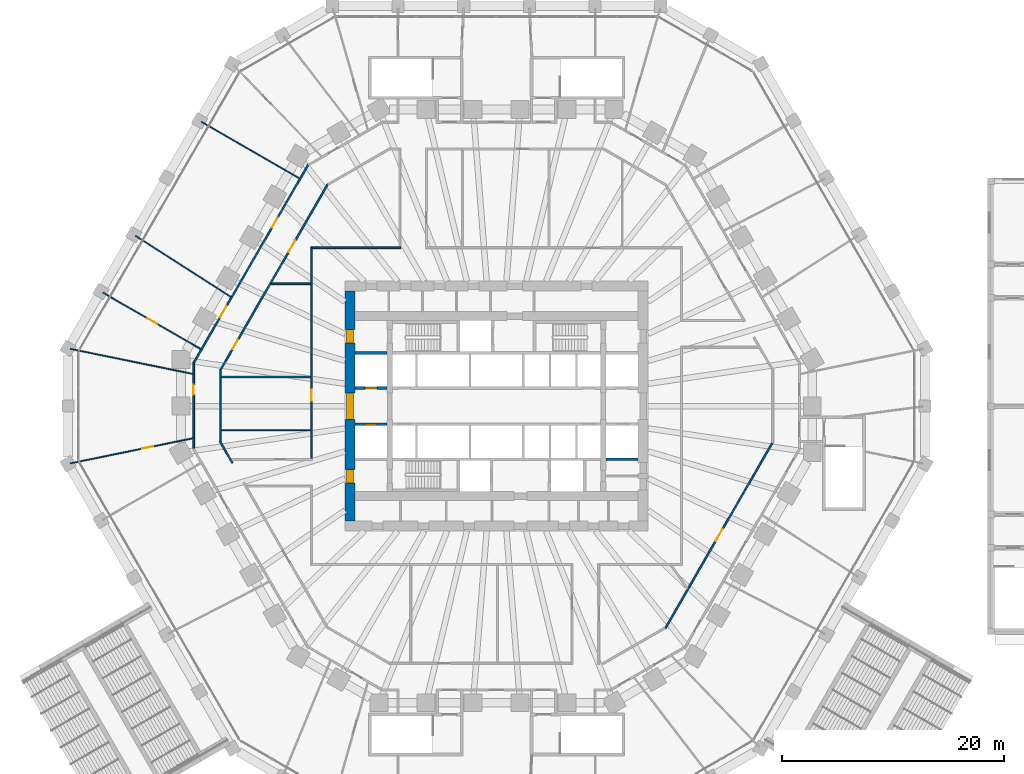
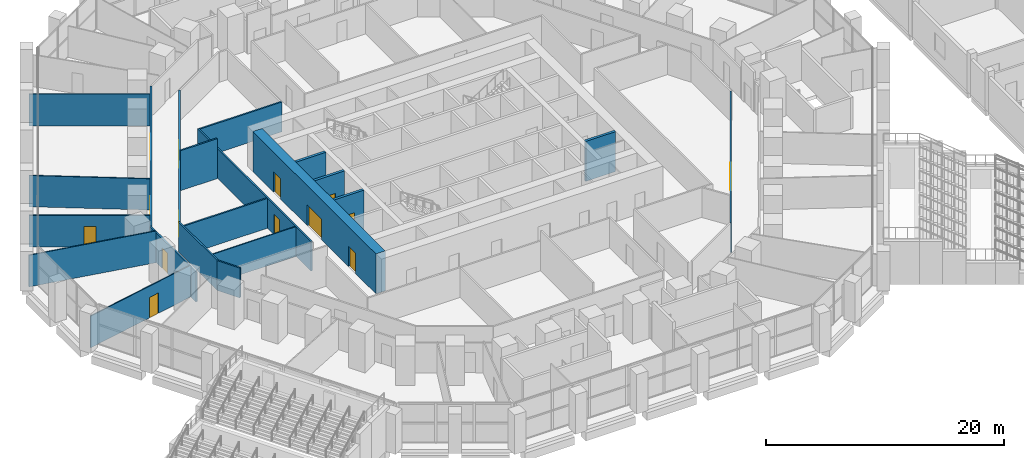
# One storey, part 21 of 38: 21 walls, 14 doors, 14 openings.
"""IFC4 building model written with IfcOpenShell, lengths in metres."""

from ifc_helpers import new_model, si_unit, direction, frame, frame_2d, origin, place, context, subcontext, project, spatial, rectangle, extrude, material, layer, layer_set, type_object, element, fill, save


model = new_model("IFC4")

# Units and contexts
model_context = context("Model", 3, precision=1e-05, world=origin(), true_north=direction((0.0, 1.0)))
body_context = subcontext(model_context, "Body", "Model", "MODEL_VIEW")
ifc_project = project(units=[si_unit("LENGTHUNIT", "METRE"), si_unit("AREAUNIT", "SQUARE_METRE"), si_unit("VOLUMEUNIT", "CUBIC_METRE"), si_unit("PLANEANGLEUNIT", "RADIAN"), si_unit("MASSUNIT", "GRAM", prefix="KILO")], contexts=[model_context])

# Site, building, storey
site_placement = place(None, origin())
site = spatial("IfcSite", under=ifc_project, at=site_placement, CompositionType="ELEMENT")
building_placement = place(site_placement, origin())
building = spatial("IfcBuilding", under=site, at=building_placement, Name="Frailejon Research Tower", CompositionType="ELEMENT")
storey_placement = place(building_placement, frame((0.0, 0.0, 10.199951171875)))
storey = spatial("IfcBuildingStorey", under=building, at=storey_placement, Name="L02", CompositionType="ELEMENT", Elevation=10.199951171875)

# Wall, openings, doors
ifc_material_1 = material(Name="Concrete C70/85", Category="concrete")
ifc_layer_1 = layer(ifc_material_1, 0.89990234375)
ifc_layer_set_1 = layer_set([ifc_layer_1], Name="Core shear wall 900 C70/85")
wall_type_1 = type_object("IfcWallType", Name="Core shear wall 900 C70/85", PredefinedType="SHEAR", material=ifc_layer_set_1)
wall_1_placement = place(storey_placement, frame((-13.199951171875, -10.35009765625, 0.0), z_axis=(0.0, 0.0, 1.0), x_axis=(0.0, 1.0, 0.0)))
wall_1 = element("IfcWall", 1, at=wall_1_placement, inside=storey, type_object=wall_type_1, Name="Core shear wall", PredefinedType="SHEAR", context=body_context, shape_type="SweptSolid", body=[
    extrude(rectangle(XDim=20.7001953125, YDim=0.89990234375, at=frame_2d((10.35009765625, 0.0))), origin(), (0.0, 0.0, 1.0), 4.10009765625),
])
opening_1_placement = place(wall_1_placement, frame((9.14990234375, 0.0, 0.0)))
opening_1 = element("IfcOpeningElement", 2, at=opening_1_placement, cuts=wall_1, Name="Opening D2", PredefinedType="OPENING", context=body_context, shape_type="SweptSolid", body=[
    extrude(rectangle(XDim=2.39990234375, YDim=2.10009765625, at=frame_2d((1.199951171875, 1.050048828125))), frame((0.0, 0.4599609375, 0.0), z_axis=(0.0, -1.0, 0.0), x_axis=(1.0, 0.0, 0.0)), (0.0, 0.0, 1.0), 0.919921875),
])
opening_2_placement = place(wall_1_placement, frame((16.050048828125, 0.0, 0.0)))
opening_2 = element("IfcOpeningElement", 3, at=opening_2_placement, cuts=wall_1, Name="Opening D7", PredefinedType="OPENING", context=body_context, shape_type="SweptSolid", body=[
    extrude(rectangle(XDim=1.199951171875, YDim=2.10009765625, at=frame_2d((0.60009765625, 1.050048828125))), frame((0.0, 0.4599609375, 0.0), z_axis=(0.0, -1.0, 0.0), x_axis=(1.0, 0.0, 0.0)), (0.0, 0.0, 1.0), 0.919921875),
])
opening_3_placement = place(wall_1_placement, frame((3.449951171875, 0.0, 0.0)))
opening_3 = element("IfcOpeningElement", 4, at=opening_3_placement, cuts=wall_1, Name="Opening D7", PredefinedType="OPENING", context=body_context, shape_type="SweptSolid", body=[
    extrude(rectangle(XDim=1.199951171875, YDim=2.10009765625, at=frame_2d((0.60009765625, 1.050048828125))), frame((0.0, 0.4599609375, 0.0), z_axis=(0.0, -1.0, 0.0), x_axis=(1.0, 0.0, 0.0)), (0.0, 0.0, 1.0), 0.919921875),
])
ifc_material_2 = material(Name="Steel", Category="steel")
door_type_1 = type_object("IfcDoorType", Name="Lobby double door", OperationType="DOUBLE_DOOR_SINGLE_SWING", PredefinedType="DOOR", material=ifc_material_2)
door_1_placement = place(opening_1_placement, origin())
door_1 = element("IfcDoor", 5, at=door_1_placement, inside=storey, type_object=door_type_1, Name="Lobby door", OperationType="DOUBLE_DOOR_SINGLE_SWING", OverallHeight=2.10009765625, OverallWidth=2.39990234375, PredefinedType="DOOR", context=body_context, shape_type="SweptSolid", body=[
    extrude(rectangle(XDim=2.39990234375, YDim=2.10009765625, at=frame_2d((1.199951171875, 1.050048828125))), frame((0.0, 0.300048828125, 0.0), z_axis=(0.0, -1.0, 0.0), x_axis=(1.0, 0.0, 0.0)), (0.0, 0.0, 1.0), 0.60009765625),
])
fill(opening_1, door_1)
ifc_material_3 = material(Name="Steel", Category="steel")
door_type_2 = type_object("IfcDoorType", Name="Stair exit door", OperationType="SINGLE_SWING_LEFT", PredefinedType="DOOR", material=ifc_material_3)
door_2_placement = place(opening_2_placement, origin())
door_2 = element("IfcDoor", 6, at=door_2_placement, inside=storey, type_object=door_type_2, Name="Stair exit door ST1", OperationType="SINGLE_SWING_RIGHT", OverallHeight=2.10009765625, OverallWidth=1.199951171875, PredefinedType="DOOR", context=body_context, shape_type="SweptSolid", body=[
    extrude(rectangle(XDim=1.199951171875, YDim=2.10009765625, at=frame_2d((0.60009765625, 1.050048828125))), frame((0.0, 0.300048828125, 0.0), z_axis=(0.0, -1.0, 0.0), x_axis=(1.0, 0.0, 0.0)), (0.0, 0.0, 1.0), 0.60009765625),
])
fill(opening_2, door_2)
door_3_placement = place(opening_3_placement, origin())
door_3 = element("IfcDoor", 7, at=door_3_placement, inside=storey, type_object=door_type_2, Name="Stair exit door ST2", OperationType="SINGLE_SWING_RIGHT", OverallHeight=2.10009765625, OverallWidth=1.199951171875, PredefinedType="DOOR", context=body_context, shape_type="SweptSolid", body=[
    extrude(rectangle(XDim=1.199951171875, YDim=2.10009765625, at=frame_2d((0.60009765625, 1.050048828125))), frame((0.0, 0.300048828125, 0.0), z_axis=(0.0, -1.0, 0.0), x_axis=(1.0, 0.0, 0.0)), (0.0, 0.0, 1.0), 0.60009765625),
])
fill(opening_3, door_3)

ifc_material_4 = material(Name="Gypsum board and masonry partition", Category="masonry")
ifc_layer_2 = layer(ifc_material_4, 0.14990234375)
ifc_layer_set_2 = layer_set([ifc_layer_2], Name="Corridor wall EI 60, gypsum on steel studs 150")
wall_type_2 = type_object("IfcWallType", Name="Corridor wall EI 60, gypsum on steel studs 150", PredefinedType="PARTITIONING", material=ifc_layer_set_2)
wall_2_placement = place(storey_placement, frame((-24.8251953125, 3.30126953125, 0.0), z_axis=(0.0, 0.0, 1.0), x_axis=(0.499992422807, 0.866029778435, 0.0)))
wall_2 = element("IfcWall", 8, at=wall_2_placement, inside=storey, type_object=wall_type_2, Name="T:IW:L02:021", PredefinedType="PARTITIONING", context=body_context, shape_type="SweptSolid", body=[
    extrude(rectangle(XDim=19.257080078125, YDim=0.14990234375, at=frame_2d((9.62841796875, 0.0))), origin(), (0.0, 0.0, 1.0), 3.050048828125),
])
opening_4_placement = place(wall_2_placement, frame((12.191650390625, 0.0, 0.0)))
opening_4 = element("IfcOpeningElement", 9, at=opening_4_placement, cuts=wall_2, Name="Opening D1072", PredefinedType="OPENING", context=body_context, shape_type="SweptSolid", body=[
    extrude(rectangle(XDim=1.199951171875, YDim=2.10009765625, at=frame_2d((0.60009765625, 1.050048828125))), frame((0.0, 0.0849609375, 0.0), z_axis=(0.0, -1.0, 0.0), x_axis=(1.0, 0.0, 0.0)), (0.0, 0.0, 1.0), 0.169921875),
])
opening_5_placement = place(wall_2_placement, frame((2.0966796875, 0.0, 0.0)))
opening_5 = element("IfcOpeningElement", 10, at=opening_5_placement, cuts=wall_2, Name="Opening D1076", PredefinedType="OPENING", context=body_context, shape_type="SweptSolid", body=[
    extrude(rectangle(XDim=1.0, YDim=2.10009765625, at=frame_2d((0.5, 1.050048828125))), frame((0.0, 0.0849609375, 0.0), z_axis=(0.0, -1.0, 0.0), x_axis=(1.0, 0.0, 0.0)), (0.0, 0.0, 1.0), 0.169921875),
])
ifc_material_5 = material(Name="Timber door leaf", Category="wood")
door_type_3 = type_object("IfcDoorType", Name="Door laboratory, timber, vision panel 1000", OperationType="NOTDEFINED", PredefinedType="DOOR", material=ifc_material_5)
door_4_placement = place(opening_5_placement, origin())
door_4 = element("IfcDoor", 11, at=door_4_placement, inside=storey, type_object=door_type_3, Name="D1076", OperationType="SINGLE_SWING_RIGHT", OverallHeight=2.10009765625, OverallWidth=1.0, PredefinedType="DOOR", context=body_context, shape_type="SweptSolid", body=[
    extrude(rectangle(XDim=1.0, YDim=2.10009765625, at=frame_2d((0.5, 1.050048828125))), frame((0.0, 0.02490234375, 0.0), z_axis=(0.0, -1.0, 0.0), x_axis=(1.0, 0.0, 0.0)), (0.0, 0.0, 1.0), 0.050048828125),
])
fill(opening_5, door_4)
ifc_material_6 = material(Name="Timber door leaf", Category="wood")
door_type_4 = type_object("IfcDoorType", Name="Door single leaf, timber, steel frame 1200", OperationType="NOTDEFINED", PredefinedType="DOOR", material=ifc_material_6)
door_5_placement = place(opening_4_placement, origin())
door_5 = element("IfcDoor", 12, at=door_5_placement, inside=storey, type_object=door_type_4, Name="D1072", OperationType="DOUBLE_DOOR_SINGLE_SWING", OverallHeight=2.10009765625, OverallWidth=1.199951171875, PredefinedType="DOOR", context=body_context, shape_type="SweptSolid", body=[
    extrude(rectangle(XDim=1.199951171875, YDim=2.10009765625, at=frame_2d((0.60009765625, 1.050048828125))), frame((0.0, 0.02490234375, 0.0), z_axis=(0.0, -1.0, 0.0), x_axis=(1.0, 0.0, 0.0)), (0.0, 0.0, 1.0), 0.050048828125),
])
fill(opening_4, door_5)

wall_3_placement = place(storey_placement, frame((-27.225341796875, 3.9443359375, 0.0), z_axis=(0.0, 0.0, 1.0), x_axis=(0.499997805905, 0.866026670542, 0.0)))
wall_3 = element("IfcWall", 13, at=wall_3_placement, inside=storey, type_object=wall_type_2, Name="T:IW:L02:022", PredefinedType="PARTITIONING", context=body_context, shape_type="SweptSolid", body=[
    extrude(rectangle(XDim=20.54345703125, YDim=0.14990234375, at=frame_2d((10.271728515625, 0.0))), origin(), (0.0, 0.0, 1.0), 3.050048828125),
])
opening_6_placement = place(wall_3_placement, frame((13.997802734375, 0.0, 0.0)))
opening_6 = element("IfcOpeningElement", 14, at=opening_6_placement, cuts=wall_3, Name="Opening D1074", PredefinedType="OPENING", context=body_context, shape_type="SweptSolid", body=[
    extrude(rectangle(XDim=1.0, YDim=2.10009765625, at=frame_2d((0.5, 1.050048828125))), frame((0.0, 0.0849609375, 0.0), z_axis=(0.0, -1.0, 0.0), x_axis=(1.0, 0.0, 0.0)), (0.0, 0.0, 1.0), 0.169921875),
])
opening_7_placement = place(wall_3_placement, frame((4.66259765625, 0.0, 0.0)))
opening_7 = element("IfcOpeningElement", 15, at=opening_7_placement, cuts=wall_3, Name="Opening D1075", PredefinedType="OPENING", context=body_context, shape_type="SweptSolid", body=[
    extrude(rectangle(XDim=1.199951171875, YDim=2.10009765625, at=frame_2d((0.60009765625, 1.050048828125))), frame((0.0, 0.0849609375, 0.0), z_axis=(0.0, -1.0, 0.0), x_axis=(1.0, 0.0, 0.0)), (0.0, 0.0, 1.0), 0.169921875),
])
ifc_material_7 = material(Name="Timber door leaf", Category="wood")
door_type_5 = type_object("IfcDoorType", Name="Door single leaf, timber, steel frame 1000", OperationType="NOTDEFINED", PredefinedType="DOOR", material=ifc_material_7)
door_6_placement = place(opening_6_placement, origin())
door_6 = element("IfcDoor", 16, at=door_6_placement, inside=storey, type_object=door_type_5, Name="D1074", OperationType="SINGLE_SWING_LEFT", OverallHeight=2.10009765625, OverallWidth=1.0, PredefinedType="DOOR", context=body_context, shape_type="SweptSolid", body=[
    extrude(rectangle(XDim=1.0, YDim=2.10009765625, at=frame_2d((0.5, 1.050048828125))), frame((0.0, 0.02490234375, 0.0), z_axis=(0.0, -1.0, 0.0), x_axis=(1.0, 0.0, 0.0)), (0.0, 0.0, 1.0), 0.050048828125),
])
fill(opening_6, door_6)
door_7_placement = place(opening_7_placement, origin())
door_7 = element("IfcDoor", 17, at=door_7_placement, inside=storey, type_object=door_type_4, Name="D1075", OperationType="DOUBLE_DOOR_SINGLE_SWING", OverallHeight=2.10009765625, OverallWidth=1.199951171875, PredefinedType="DOOR", context=body_context, shape_type="SweptSolid", body=[
    extrude(rectangle(XDim=1.199951171875, YDim=2.10009765625, at=frame_2d((0.60009765625, 1.050048828125))), frame((0.0, 0.02490234375, 0.0), z_axis=(0.0, -1.0, 0.0), x_axis=(1.0, 0.0, 0.0)), (0.0, 0.0, 1.0), 0.050048828125),
])
fill(opening_7, door_7)

# Wall
wall_4_placement = place(storey_placement, frame((-24.86279296875, -3.161376953125, 0.0), z_axis=(0.0, 0.0, 1.0), x_axis=(0.0, 1.0, 0.0)))
element("IfcWall", 18, at=wall_4_placement, inside=storey, type_object=wall_type_2, Name="T:IW:L02:023", PredefinedType="PARTITIONING", context=body_context, shape_type="SweptSolid", body=[
    extrude(rectangle(XDim=6.47265625, YDim=0.14990234375, at=frame_2d((3.236328125, 0.0))), origin(), (0.0, 0.0, 1.0), 3.050048828125),
])

# Wall, opening, door
wall_5_placement = place(storey_placement, frame((-27.2626953125, -3.804443359375, 0.0), z_axis=(0.0, 0.0, 1.0), x_axis=(0.0, 1.0, 0.0)))
wall_5 = element("IfcWall", 19, at=wall_5_placement, inside=storey, type_object=wall_type_2, Name="T:IW:L02:024", PredefinedType="PARTITIONING", context=body_context, shape_type="SweptSolid", body=[
    extrude(rectangle(XDim=7.7587890625, YDim=0.14990234375, at=frame_2d((3.87939453125, 0.0))), origin(), (0.0, 0.0, 1.0), 3.050048828125),
])
opening_8_placement = place(wall_5_placement, frame((4.81005859375, 0.0, 0.0)))
opening_8 = element("IfcOpeningElement", 20, at=opening_8_placement, cuts=wall_5, Name="Opening D1079", PredefinedType="OPENING", context=body_context, shape_type="SweptSolid", body=[
    extrude(rectangle(XDim=0.89990234375, YDim=2.10009765625, at=frame_2d((0.449951171875, 1.050048828125))), frame((0.0, 0.0849609375, 0.0), z_axis=(0.0, -1.0, 0.0), x_axis=(1.0, 0.0, 0.0)), (0.0, 0.0, 1.0), 0.169921875),
])
ifc_material_8 = material(Name="Timber door leaf", Category="wood")
door_type_6 = type_object("IfcDoorType", Name="Door single leaf, timber, steel frame 900", OperationType="NOTDEFINED", PredefinedType="DOOR", material=ifc_material_8)
door_8_placement = place(opening_8_placement, origin())
door_8 = element("IfcDoor", 21, at=door_8_placement, inside=storey, type_object=door_type_6, Name="D1079", OperationType="SINGLE_SWING_LEFT", OverallHeight=2.10009765625, OverallWidth=0.89990234375, PredefinedType="DOOR", context=body_context, shape_type="SweptSolid", body=[
    extrude(rectangle(XDim=0.89990234375, YDim=2.10009765625, at=frame_2d((0.449951171875, 1.050048828125))), frame((0.0, 0.02490234375, 0.0), z_axis=(0.0, -1.0, 0.0), x_axis=(1.0, 0.0, 0.0)), (0.0, 0.0, 1.0), 0.050048828125),
])
fill(opening_8, door_8)

# Wall
wall_6_placement = place(storey_placement, frame((-24.900390625, -3.17138671875, 0.0), z_axis=(0.0, 0.0, 1.0), x_axis=(0.500021389451, -0.866013054227, 0.0)))
element("IfcWall", 22, at=wall_6_placement, inside=storey, type_object=wall_type_2, Name="T:IW:L02:025", PredefinedType="PARTITIONING", context=body_context, shape_type="SweptSolid", body=[
    extrude(rectangle(XDim=2.23876953125, YDim=0.14990234375, at=frame_2d((1.119384765625, 0.0))), origin(), (0.0, 0.0, 1.0), 3.050048828125),
])

# Wall, opening, door
wall_7_placement = place(storey_placement, frame((15.19677734375, -19.978515625, 0.0), z_axis=(0.0, 0.0, 1.0), x_axis=(0.499992422807, 0.866029778435, 0.0)))
wall_7 = element("IfcWall", 23, at=wall_7_placement, inside=storey, type_object=wall_type_2, Name="T:IW:L02:036", PredefinedType="PARTITIONING", context=body_context, shape_type="SweptSolid", body=[
    extrude(rectangle(XDim=19.257080078125, YDim=0.14990234375, at=frame_2d((9.62841796875, 0.0))), origin(), (0.0, 0.0, 1.0), 3.050048828125),
])
opening_9_placement = place(wall_7_placement, frame((9.061279296875, 0.0, 0.0)))
opening_9 = element("IfcOpeningElement", 24, at=opening_9_placement, cuts=wall_7, Name="Opening D1097", PredefinedType="OPENING", context=body_context, shape_type="SweptSolid", body=[
    extrude(rectangle(XDim=1.199951171875, YDim=2.10009765625, at=frame_2d((0.60009765625, 1.050048828125))), frame((0.0, 0.0849609375, 0.0), z_axis=(0.0, -1.0, 0.0), x_axis=(1.0, 0.0, 0.0)), (0.0, 0.0, 1.0), 0.169921875),
])
ifc_material_9 = material(Name="Timber door leaf", Category="wood")
door_type_7 = type_object("IfcDoorType", Name="Door laboratory, timber, vision panel 1200", OperationType="NOTDEFINED", PredefinedType="DOOR", material=ifc_material_9)
door_9_placement = place(opening_9_placement, origin())
door_9 = element("IfcDoor", 25, at=door_9_placement, inside=storey, type_object=door_type_7, Name="D1097", OperationType="DOUBLE_DOOR_SINGLE_SWING", OverallHeight=2.10009765625, OverallWidth=1.199951171875, PredefinedType="DOOR", context=body_context, shape_type="SweptSolid", body=[
    extrude(rectangle(XDim=1.199951171875, YDim=2.10009765625, at=frame_2d((0.60009765625, 1.050048828125))), frame((0.0, 0.02490234375, 0.0), z_axis=(0.0, -1.0, 0.0), x_axis=(1.0, 0.0, 0.0)), (0.0, 0.0, 1.0), 0.050048828125),
])
fill(opening_9, door_9)

# Wall
wall_8_placement = place(storey_placement, frame((-16.574951171875, 14.25, 0.0), z_axis=(0.0, 0.0, 1.0), x_axis=(1.0, 0.0, 0.0)))
element("IfcWall", 26, at=wall_8_placement, inside=storey, type_object=wall_type_2, Name="T:IW:L02:041", PredefinedType="PARTITIONING", context=body_context, shape_type="SweptSolid", body=[
    extrude(rectangle(XDim=7.949951171875, YDim=0.14990234375, at=frame_2d((3.97509765625, 0.0))), origin(), (0.0, 0.0, 1.0), 3.050048828125),
])

# Wall, opening, door
wall_9_placement = place(storey_placement, frame((-16.64990234375, -4.72509765625, 0.0), z_axis=(0.0, 0.0, 1.0), x_axis=(0.0, 1.0, 0.0)))
wall_9 = element("IfcWall", 27, at=wall_9_placement, inside=storey, type_object=wall_type_2, Name="T:IW:L02:046", PredefinedType="PARTITIONING", context=body_context, shape_type="SweptSolid", body=[
    extrude(rectangle(XDim=19.050048828125, YDim=0.14990234375, at=frame_2d((9.52490234375, 0.0))), origin(), (0.0, 0.0, 1.0), 3.050048828125),
])
opening_10_placement = place(wall_9_placement, frame((5.219482421875, 0.0, 0.0)))
opening_10 = element("IfcOpeningElement", 28, at=opening_10_placement, cuts=wall_9, Name="Opening D1078", PredefinedType="OPENING", context=body_context, shape_type="SweptSolid", body=[
    extrude(rectangle(XDim=1.0, YDim=2.10009765625, at=frame_2d((0.5, 1.050048828125))), frame((0.0, 0.0849609375, 0.0), z_axis=(0.0, -1.0, 0.0), x_axis=(1.0, 0.0, 0.0)), (0.0, 0.0, 1.0), 0.169921875),
])
door_10_placement = place(opening_10_placement, origin())
door_10 = element("IfcDoor", 29, at=door_10_placement, inside=storey, type_object=door_type_5, Name="D1078", OperationType="SINGLE_SWING_RIGHT", OverallHeight=2.10009765625, OverallWidth=1.0, PredefinedType="DOOR", context=body_context, shape_type="SweptSolid", body=[
    extrude(rectangle(XDim=1.0, YDim=2.10009765625, at=frame_2d((0.5, 1.050048828125))), frame((0.0, 0.02490234375, 0.0), z_axis=(0.0, -1.0, 0.0), x_axis=(1.0, 0.0, 0.0)), (0.0, 0.0, 1.0), 0.050048828125),
])
fill(opening_10, door_10)

# Walls
ifc_material_10 = material(Name="Gypsum board and masonry partition", Category="masonry")
ifc_layer_3 = layer(ifc_material_10, 0.14990234375)
ifc_layer_set_3 = layer_set([ifc_layer_3], Name="Laboratory partition, blockwork 150")
wall_type_3 = type_object("IfcWallType", Name="Laboratory partition, blockwork 150", PredefinedType="PARTITIONING", material=ifc_layer_set_3)
wall_10_placement = place(storey_placement, frame((-20.294189453125, 11.01953125, 0.0), z_axis=(0.0, 0.0, 1.0), x_axis=(1.0, 0.0, 0.0)))
element("IfcWall", 30, at=wall_10_placement, inside=storey, type_object=wall_type_3, Name="T:IW:L02:074", PredefinedType="PARTITIONING", context=body_context, shape_type="SweptSolid", body=[
    extrude(rectangle(XDim=3.569091796875, YDim=0.14990234375, at=frame_2d((1.78466796875, 0.0))), origin(), (0.0, 0.0, 1.0), 4.10009765625),
])
wall_11_placement = place(storey_placement, frame((-24.787841796875, 2.619384765625, 0.0), z_axis=(0.0, 0.0, 1.0), x_axis=(1.0, 0.0, 0.0)))
element("IfcWall", 31, at=wall_11_placement, inside=storey, type_object=wall_type_3, Name="T:IW:L02:075", PredefinedType="PARTITIONING", context=body_context, shape_type="SweptSolid", body=[
    extrude(rectangle(XDim=8.062744140625, YDim=0.14990234375, at=frame_2d((4.03125, 0.0))), origin(), (0.0, 0.0, 1.0), 3.050048828125),
])
ifc_material_11 = material(Name="Gypsum board and masonry partition", Category="masonry")
ifc_layer_4 = layer(ifc_material_11, 0.10009765625)
ifc_layer_set_4 = layer_set([ifc_layer_4], Name="Partition, gypsum on steel studs 100")
wall_type_4 = type_object("IfcWallType", Name="Partition, gypsum on steel studs 100", PredefinedType="PARTITIONING", material=ifc_layer_set_4)
wall_12_placement = place(storey_placement, frame((-26.568359375, 25.582275390625, 0.0), z_axis=(0.0, 0.0, 1.0), x_axis=(0.866028554658, -0.499994542487, 0.0)))
element("IfcWall", 32, at=wall_12_placement, inside=storey, type_object=wall_type_4, Name="T:IW:L02:092", PredefinedType="PARTITIONING", context=body_context, shape_type="SweptSolid", body=[
    extrude(rectangle(XDim=10.1748046875, YDim=0.10009765625, at=frame_2d((5.08740234375, 0.0))), origin(), (0.0, 0.0, 1.0), 3.25),
])
wall_13_placement = place(storey_placement, frame((-32.487060546875, 15.330810546875, 0.0), z_axis=(0.0, 0.0, 1.0), x_axis=(0.841149662558, -0.540802408628, 0.0)))
element("IfcWall", 33, at=wall_13_placement, inside=storey, type_object=wall_type_4, Name="T:IW:L02:093", PredefinedType="PARTITIONING", context=body_context, shape_type="SweptSolid", body=[
    extrude(rectangle(XDim=10.186767578125, YDim=0.10009765625, at=frame_2d((5.09326171875, 0.0))), origin(), (0.0, 0.0, 1.0), 3.199951171875),
])

# Wall, opening, door
wall_14_placement = place(storey_placement, frame((-35.439208984375, 10.2177734375, 0.0), z_axis=(0.0, 0.0, 1.0), x_axis=(0.86602416344, -0.500002148333, 0.0)))
wall_14 = element("IfcWall", 34, at=wall_14_placement, inside=storey, type_object=wall_type_4, Name="T:IW:L02:094", PredefinedType="PARTITIONING", context=body_context, shape_type="SweptSolid", body=[
    extrude(rectangle(XDim=10.17529296875, YDim=0.10009765625, at=frame_2d((5.087646484375, 0.0))), origin(), (0.0, 0.0, 1.0), 3.25),
])
opening_11_placement = place(wall_14_placement, frame((4.625, 0.0, 0.0)))
opening_11 = element("IfcOpeningElement", 35, at=opening_11_placement, cuts=wall_14, Name="Opening D1077", PredefinedType="OPENING", context=body_context, shape_type="SweptSolid", body=[
    extrude(rectangle(XDim=1.0, YDim=2.10009765625, at=frame_2d((0.5, 1.050048828125))), frame((0.0, 0.06005859375, 0.0), z_axis=(0.0, -1.0, 0.0), x_axis=(1.0, 0.0, 0.0)), (0.0, 0.0, 1.0), 0.1201171875),
])
door_11_placement = place(opening_11_placement, origin())
door_11 = element("IfcDoor", 36, at=door_11_placement, inside=storey, type_object=door_type_5, Name="D1077", OperationType="SINGLE_SWING_LEFT", OverallHeight=2.10009765625, OverallWidth=1.0, PredefinedType="DOOR", context=body_context, shape_type="SweptSolid", body=[
    extrude(rectangle(XDim=1.0, YDim=2.10009765625, at=frame_2d((0.5, 1.050048828125))), frame((0.0, 0.02490234375, 0.0), z_axis=(0.0, -1.0, 0.0), x_axis=(1.0, 0.0, 0.0)), (0.0, 0.0, 1.0), 0.050048828125),
])
fill(opening_11, door_11)

# Walls
wall_15_placement = place(storey_placement, frame((-38.36279296875, 5.15380859375, 0.0), z_axis=(0.0, 0.0, 1.0), x_axis=(0.979647999814, -0.200723183666, 0.0)))
element("IfcWall", 37, at=wall_15_placement, inside=storey, type_object=wall_type_4, Name="T:IW:L02:095", PredefinedType="PARTITIONING", context=body_context, shape_type="SweptSolid", body=[
    extrude(rectangle(XDim=11.255615234375, YDim=0.10009765625, at=frame_2d((5.6279296875, 0.0))), origin(), (0.0, 0.0, 1.0), 3.25),
])
wall_16_placement = place(storey_placement, frame((-24.787841796875, -2.180419921875, 0.0), z_axis=(0.0, 0.0, 1.0), x_axis=(1.0, 0.0, 0.0)))
element("IfcWall", 38, at=wall_16_placement, inside=storey, type_object=wall_type_4, Name="T:IW:L02:096", PredefinedType="PARTITIONING", context=body_context, shape_type="SweptSolid", body=[
    extrude(rectangle(XDim=8.062744140625, YDim=0.10009765625, at=frame_2d((4.03125, 0.0))), origin(), (0.0, 0.0, 1.0), 3.050048828125),
])

# Wall, opening, door
wall_17_placement = place(storey_placement, frame((-38.36279296875, -5.15380859375, 0.0), z_axis=(0.0, 0.0, 1.0), x_axis=(0.979647999814, 0.200723183666, 0.0)))
wall_17 = element("IfcWall", 39, at=wall_17_placement, inside=storey, type_object=wall_type_4, Name="T:IW:L02:097", PredefinedType="PARTITIONING", context=body_context, shape_type="SweptSolid", body=[
    extrude(rectangle(XDim=11.255615234375, YDim=0.10009765625, at=frame_2d((5.6279296875, 0.0))), origin(), (0.0, 0.0, 1.0), 3.25),
])
opening_12_placement = place(wall_17_placement, frame((6.60986328125, 0.0, 0.0)))
opening_12 = element("IfcOpeningElement", 40, at=opening_12_placement, cuts=wall_17, Name="Opening D1081", PredefinedType="OPENING", context=body_context, shape_type="SweptSolid", body=[
    extrude(rectangle(XDim=1.0, YDim=2.10009765625, at=frame_2d((0.5, 1.050048828125))), frame((0.0, 0.06005859375, 0.0), z_axis=(0.0, -1.0, 0.0), x_axis=(1.0, 0.0, 0.0)), (0.0, 0.0, 1.0), 0.1201171875),
])
door_12_placement = place(opening_12_placement, origin())
door_12 = element("IfcDoor", 41, at=door_12_placement, inside=storey, type_object=door_type_5, Name="D1081", OperationType="SINGLE_SWING_LEFT", OverallHeight=2.10009765625, OverallWidth=1.0, PredefinedType="DOOR", context=body_context, shape_type="SweptSolid", body=[
    extrude(rectangle(XDim=1.0, YDim=2.10009765625, at=frame_2d((0.5, 1.050048828125))), frame((0.0, 0.02490234375, 0.0), z_axis=(0.0, -1.0, 0.0), x_axis=(1.0, 0.0, 0.0)), (0.0, 0.0, 1.0), 0.050048828125),
])
fill(opening_12, door_12)

ifc_material_12 = material(Name="Concrete C70/85", Category="concrete")
ifc_layer_5 = layer(ifc_material_12, 0.25)
ifc_layer_set_5 = layer_set([ifc_layer_5], Name="Shaft wall 250 C70/85")
wall_type_5 = type_object("IfcWallType", Name="Shaft wall 250 C70/85", PredefinedType="SOLIDWALL", material=ifc_layer_set_5)
wall_18_placement = place(storey_placement, frame((-12.75, 1.625, 0.0), z_axis=(0.0, 0.0, 1.0), x_axis=(1.0, 0.0, 0.0)))
wall_18 = element("IfcWall", 42, at=wall_18_placement, inside=storey, type_object=wall_type_5, Name="Shaft wall", PredefinedType="SOLIDWALL", context=body_context, shape_type="SweptSolid", body=[
    extrude(rectangle(XDim=2.89990234375, YDim=0.25, at=frame_2d((1.449951171875, 0.0))), origin(), (0.0, 0.0, 1.0), 4.10009765625),
])
opening_13_placement = place(wall_18_placement, frame((0.89990234375, 0.0, 0.0)))
opening_13 = element("IfcOpeningElement", 43, at=opening_13_placement, cuts=wall_18, Name="Opening LD", PredefinedType="OPENING", context=body_context, shape_type="SweptSolid", body=[
    extrude(rectangle(XDim=1.10009765625, YDim=2.10009765625, at=frame_2d((0.550048828125, 1.050048828125))), frame((0.0, 0.135009765625, 0.0), z_axis=(0.0, -1.0, 0.0), x_axis=(1.0, 0.0, 0.0)), (0.0, 0.0, 1.0), 0.27001953125),
])
ifc_material_13 = material(Name="Steel", Category="steel")
door_type_8 = type_object("IfcDoorType", Name="Lift landing door", OperationType="DOUBLE_DOOR_SLIDING", PredefinedType="DOOR", material=ifc_material_13)
door_13_placement = place(opening_13_placement, origin())
door_13 = element("IfcDoor", 44, at=door_13_placement, inside=storey, type_object=door_type_8, Name="Lift landing door", OperationType="DOUBLE_DOOR_SLIDING", OverallHeight=2.10009765625, OverallWidth=1.10009765625, PredefinedType="DOOR", context=body_context, shape_type="SweptSolid", body=[
    extrude(rectangle(XDim=1.10009765625, YDim=2.10009765625, at=frame_2d((0.550048828125, 1.050048828125))), frame((0.0, 0.074951171875, 0.0), z_axis=(0.0, -1.0, 0.0), x_axis=(1.0, 0.0, 0.0)), (0.0, 0.0, 1.0), 0.14990234375),
])
fill(opening_13, door_13)

# Wall
wall_19_placement = place(storey_placement, frame((-12.75, 4.77490234375, 0.0), z_axis=(0.0, 0.0, 1.0), x_axis=(1.0, 0.0, 0.0)))
element("IfcWall", 45, at=wall_19_placement, inside=storey, type_object=wall_type_5, Name="Shaft wall", PredefinedType="SOLIDWALL", context=body_context, shape_type="SweptSolid", body=[
    extrude(rectangle(XDim=2.89990234375, YDim=0.25, at=frame_2d((1.449951171875, 0.0))), origin(), (0.0, 0.0, 1.0), 4.10009765625),
])

# Wall, opening, door
wall_20_placement = place(storey_placement, frame((-12.75, -1.625, 0.0), z_axis=(0.0, 0.0, 1.0), x_axis=(1.0, 0.0, 0.0)))
wall_20 = element("IfcWall", 46, at=wall_20_placement, inside=storey, type_object=wall_type_5, Name="Shaft wall", PredefinedType="SOLIDWALL", context=body_context, shape_type="SweptSolid", body=[
    extrude(rectangle(XDim=2.89990234375, YDim=0.25, at=frame_2d((1.449951171875, 0.0))), origin(), (0.0, 0.0, 1.0), 4.10009765625),
])
opening_14_placement = place(wall_20_placement, frame((0.89990234375, 0.0, 0.0)))
opening_14 = element("IfcOpeningElement", 47, at=opening_14_placement, cuts=wall_20, Name="Opening LD", PredefinedType="OPENING", context=body_context, shape_type="SweptSolid", body=[
    extrude(rectangle(XDim=1.10009765625, YDim=2.10009765625, at=frame_2d((0.550048828125, 1.050048828125))), frame((0.0, 0.135009765625, 0.0), z_axis=(0.0, -1.0, 0.0), x_axis=(1.0, 0.0, 0.0)), (0.0, 0.0, 1.0), 0.27001953125),
])
door_14_placement = place(opening_14_placement, origin())
door_14 = element("IfcDoor", 48, at=door_14_placement, inside=storey, type_object=door_type_8, Name="Lift landing door", OperationType="DOUBLE_DOOR_SLIDING", OverallHeight=2.10009765625, OverallWidth=1.10009765625, PredefinedType="DOOR", context=body_context, shape_type="SweptSolid", body=[
    extrude(rectangle(XDim=1.10009765625, YDim=2.10009765625, at=frame_2d((0.550048828125, 1.050048828125))), frame((0.0, 0.074951171875, 0.0), z_axis=(0.0, -1.0, 0.0), x_axis=(1.0, 0.0, 0.0)), (0.0, 0.0, 1.0), 0.14990234375),
])
fill(opening_14, door_14)

# Wall
wall_21_placement = place(storey_placement, frame((9.85009765625, -4.77490234375, 0.0), z_axis=(0.0, 0.0, 1.0), x_axis=(1.0, 0.0, 0.0)))
element("IfcWall", 49, at=wall_21_placement, inside=storey, type_object=wall_type_5, Name="Shaft wall", PredefinedType="SOLIDWALL", context=body_context, shape_type="SweptSolid", body=[
    extrude(rectangle(XDim=2.89990234375, YDim=0.25, at=frame_2d((1.449951171875, 0.0))), origin(), (0.0, 0.0, 1.0), 4.10009765625),
])

save(model, "model.ifc")
